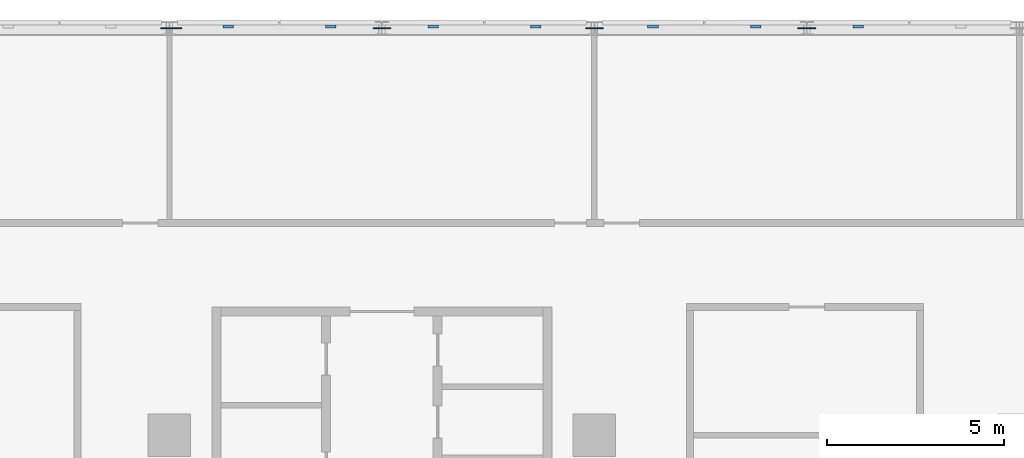
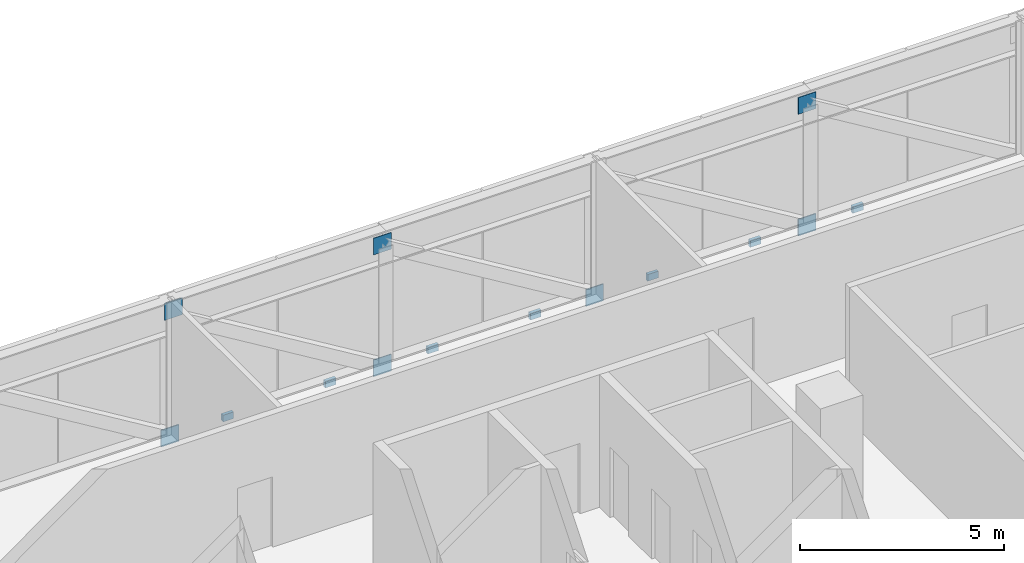
# One storey, part 17 of 26: 14 discrete accessories.
"""IFC4 building model written with IfcOpenShell, lengths in metres."""

from ifc_helpers import new_model, si_unit, direction, frame, origin, origin_2d, place, context, subcontext, project, spatial, rectangle, extrude, material, layer, layer_set, type_object, element, save


model = new_model("IFC4")

# Units and contexts
model_context = context("Model", 3, precision=1e-05, world=origin(), true_north=direction((0.0, 1.0)))
body_context = subcontext(model_context, "Body", "Model", "MODEL_VIEW")
ifc_project = project(units=[si_unit("LENGTHUNIT", "METRE"), si_unit("AREAUNIT", "SQUARE_METRE"), si_unit("VOLUMEUNIT", "CUBIC_METRE"), si_unit("PLANEANGLEUNIT", "RADIAN"), si_unit("MASSUNIT", "GRAM", prefix="KILO")], contexts=[model_context])

# Site, building, storey
site_placement = place(None, origin())
site = spatial("IfcSite", under=ifc_project, at=site_placement, CompositionType="ELEMENT")
building_placement = place(site_placement, origin())
building = spatial("IfcBuilding", under=site, at=building_placement, Name="Mahtab Terrace Research Tower", CompositionType="ELEMENT")
storey_placement = place(building_placement, frame((0.0, 0.0, 189.60009765625)))
storey = spatial("IfcBuildingStorey", under=building, at=storey_placement, Name="L45", CompositionType="ELEMENT", Elevation=189.60009765625)

# Discrete accessories
ifc_material_1 = material(Name="Black anodised aluminium", Category="aluminium")
discrete_accessory_type_1 = type_object("IfcDiscreteAccessoryType", Name="Facade bracket", PredefinedType="BRACKET", material=ifc_material_1)
for number, where, z_axis, x_axis, name in (
    (1, (13.447998046875, 23.044921875, -0.30029296875), (0.0, 0.0, 1.0), (-1.0, 0.0, 0.0), "Louvre bracket L45 34"),
    (2, (10.552001953125, 23.044921875, -0.30029296875), (0.0, 0.0, 1.0), (-1.0, 0.0, 0.0), "Louvre bracket L45 35"),
    (3, (7.656005859375, 23.044921875, -0.30029296875), (0.0, 0.0, 1.0), (-1.0, 0.0, 0.0), "Louvre bracket L45 36"),
    (4, (4.343994140625, 23.044921875, -0.30029296875), (0.0, 0.0, 1.0), (-1.0, 0.0, 0.0), "Louvre bracket L45 37"),
    (5, (1.447998046875, 23.044921875, -0.30029296875), (0.0, 0.0, 1.0), (-1.0, 0.0, 0.0), "Louvre bracket L45 38"),
    (6, (-1.447998046875, 23.044921875, -0.30029296875), (0.0, 0.0, 1.0), (-1.0, 0.0, 0.0), "Louvre bracket L45 39"),
    (7, (-4.343994140625, 23.044921875, -0.30029296875), (0.0, 0.0, 1.0), (-1.0, 0.0, 0.0), "Louvre bracket L45 40"),
):
    element("IfcDiscreteAccessory", number, at=place(storey_placement, frame(where, z_axis=z_axis, x_axis=x_axis)), inside=storey, type_object=discrete_accessory_type_1, Name=name, PredefinedType="BRACKET", context=body_context, shape_type="SweptSolid", body=[
        extrude(rectangle(XDim=0.300048828125, YDim=0.090087890625, at=origin_2d()), origin(), (0.0, 0.0, 1.0), 0.199951171875),
    ])
ifc_material_2 = material(Name="Steel ASTM A992 Gr 50", Category="steel")
ifc_layer = layer(ifc_material_2, 0.030029296875)
ifc_layer_set = layer_set([ifc_layer], Name="Gusset plate 500x500x30")
discrete_accessory_type_2 = type_object("IfcDiscreteAccessoryType", Name="Gusset plate 500x500x30", PredefinedType="USERDEFINED", material=ifc_layer_set)
for number, where, z_axis, x_axis, name in (
    (8, (-6.0, 23.0, -0.427978515625), (0.0, 0.0, 1.0), (1.0, 0.0, 0.0), "Gusset plate"),
    (9, (-5.899658203125, 23.0, 3.322021484375), (0.0, 0.0, 1.0), (1.0, 0.0, 0.0), "Gusset plate"),
    (10, (0.0, 23.0, -0.427978515625), (0.0, 0.0, 1.0), (1.0, 0.0, 0.0), "Gusset plate"),
    (11, (0.0, 23.0, 3.20947265625), (0.0, 0.0, 1.0), (1.0, 0.0, 0.0), "Gusset plate"),
    (12, (6.0, 23.0, -0.427978515625), (0.0, 0.0, 1.0), (1.0, 0.0, 0.0), "Gusset plate"),
    (13, (12.0, 23.0, -0.427978515625), (0.0, 0.0, 1.0), (1.0, 0.0, 0.0), "Gusset plate"),
    (14, (12.0, 23.0, 3.20947265625), (0.0, 0.0, 1.0), (1.0, 0.0, 0.0), "Gusset plate"),
):
    element("IfcDiscreteAccessory", number, at=place(storey_placement, frame(where, z_axis=z_axis, x_axis=x_axis)), inside=storey, type_object=discrete_accessory_type_2, Name=name, ObjectType="GUSSET PLATE", PredefinedType="USERDEFINED", context=body_context, shape_type="SweptSolid", body=[
        extrude(rectangle(XDim=0.5, YDim=0.030029296875, at=origin_2d()), origin(), (0.0, 0.0, 1.0), 0.5),
    ])

save(model, "model.ifc")
